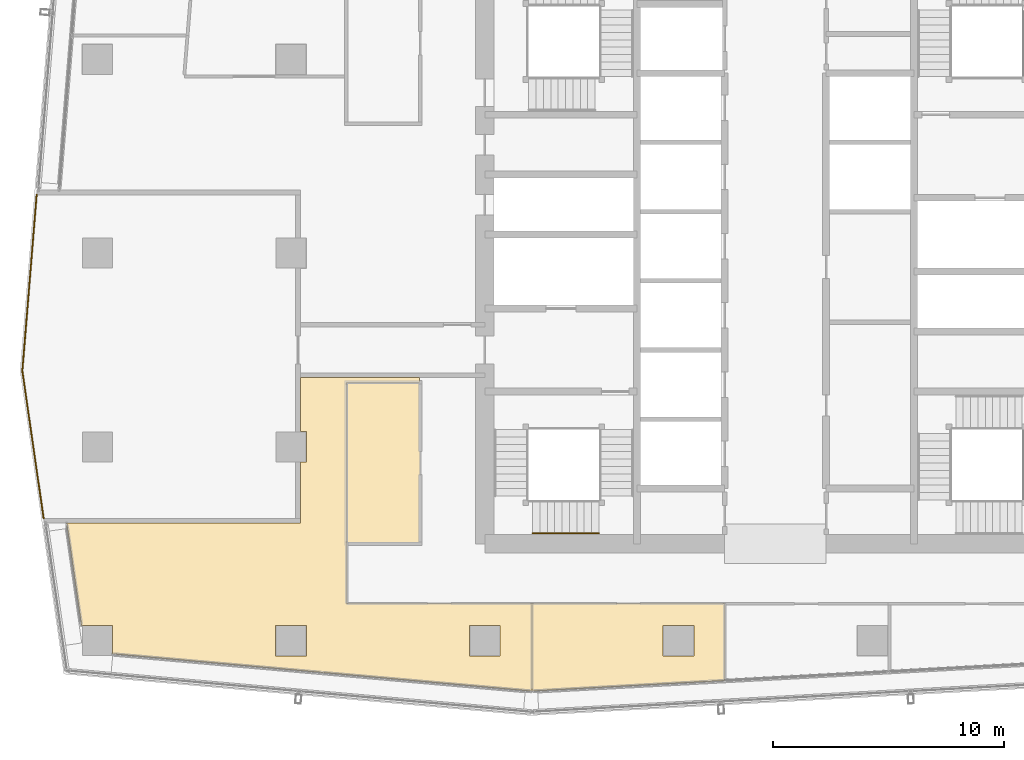
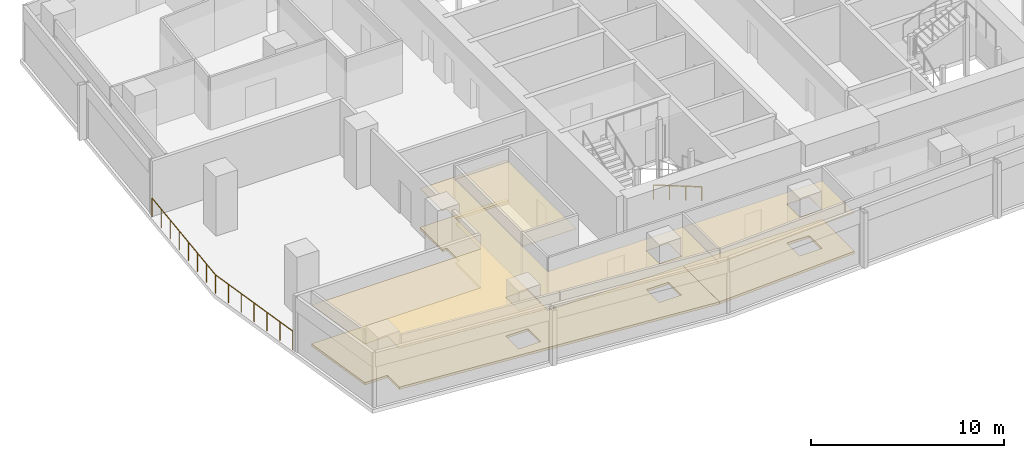
# One storey, part 24 of 28: 5 coverings, 2 railings.
"""IFC4 building model written with IfcOpenShell, lengths in metres."""

from ifc_helpers import new_model, si_unit, direction, frame, origin, origin_2d, place, context, subcontext, project, spatial, polyline, circle, outline, extrude, material, layer, layer_set, type_object, element, save


model = new_model("IFC4")

# Units and contexts
model_context = context("Model", 3, precision=1e-05, world=origin(), true_north=direction((0.0, 1.0)))
body_context = subcontext(model_context, "Body", "Model", "MODEL_VIEW")
ifc_project = project(units=[si_unit("LENGTHUNIT", "METRE"), si_unit("AREAUNIT", "SQUARE_METRE"), si_unit("VOLUMEUNIT", "CUBIC_METRE"), si_unit("PLANEANGLEUNIT", "RADIAN"), si_unit("MASSUNIT", "GRAM", prefix="KILO")], contexts=[model_context])

# Site, building, storey
site_placement = place(None, origin())
site = spatial("IfcSite", under=ifc_project, at=site_placement, CompositionType="ELEMENT")
building_placement = place(site_placement, origin())
building = spatial("IfcBuilding", under=site, at=building_placement, Name="Rekha Terrace Tower", CompositionType="ELEMENT")
storey_placement = place(building_placement, frame((0.0, 0.0, 268.85009765625)))
storey = spatial("IfcBuildingStorey", under=building, at=storey_placement, Name="L68", CompositionType="ELEMENT", Elevation=268.85009765625)

# Coverings
ifc_material_1 = material(Name="Mineral fibre tile in exposed grid", Category="finish")
ifc_layer_1 = layer(ifc_material_1, 0.02001953125)
ifc_layer_set_1 = layer_set([ifc_layer_1], Name="Mineral fibre tile in exposed grid")
covering_type_1 = type_object("IfcCoveringType", Name="CL1 600x1200 office grid ceiling", PredefinedType="CEILING", material=ifc_layer_set_1)
covering_1_placement = place(storey_placement, frame((0.0, 0.0, 2.579833984375)))
element("IfcCovering", 1, at=covering_1_placement, inside=storey, type_object=covering_type_1, Name="Ceiling L68-06", PredefinedType="CEILING", context=body_context, shape_type="SweptSolid", body=[
    extrude(outline(polyline([(7.073974609375, 21.89599609375), (7.715087890625, 17.465087890625), (9.06494140625, 17.465087890625), (9.06494140625, 16.22705078125), (18.423095703125, 15.39501953125), (27.25390625, 14.610107421875), (27.25390625, 18.39990234375), (19.199951171875, 18.39990234375), (19.199951171875, 28.0), (22.375, 28.0), (22.375, 28.198974609375), (17.200927734375, 28.198974609375), (17.200927734375, 25.864990234375), (17.465087890625, 25.864990234375), (17.465087890625, 24.534912109375), (17.200927734375, 24.534912109375), (17.200927734375, 21.89599609375), (7.073974609375, 21.89599609375)]), holes=[polyline([(25.864990234375, 17.465087890625), (25.864990234375, 16.135009765625), (24.534912109375, 16.135009765625), (24.534912109375, 17.465087890625), (25.864990234375, 17.465087890625)]), polyline([(17.465087890625, 17.465087890625), (17.465087890625, 16.135009765625), (16.135009765625, 16.135009765625), (16.135009765625, 17.465087890625), (17.465087890625, 17.465087890625)])]), origin(), (0.0, 0.0, 1.0), 0.02001953125),
])
covering_2_placement = place(storey_placement, frame((0.0, 0.0, 2.579833984375)))
element("IfcCovering", 2, at=covering_2_placement, inside=storey, type_object=covering_type_1, Name="Ceiling L68-07", PredefinedType="CEILING", context=body_context, shape_type="SweptSolid", body=[
    extrude(outline(polyline([(27.2548828125, 18.39990234375), (27.2548828125, 14.614990234375), (35.597900390625, 15.069091796875), (35.597900390625, 18.39990234375), (27.2548828125, 18.39990234375)]), holes=[polyline([(34.264892578125, 16.135009765625), (32.93505859375, 16.135009765625), (32.93505859375, 17.465087890625), (34.264892578125, 17.465087890625), (34.264892578125, 16.135009765625)])]), origin(), (0.0, 0.0, 1.0), 0.02001953125),
])
ifc_material_2 = material(Name="Fibre cement board", Category="finish")
ifc_layer_2 = layer(ifc_material_2, 0.014892578125)
ifc_layer_set_2 = layer_set([ifc_layer_2], Name="Fibre cement board")
covering_type_2 = type_object("IfcCoveringType", Name="CL2 moisture-resistant board ceiling", PredefinedType="CEILING", material=ifc_layer_set_2)
covering_3_placement = place(storey_placement, frame((0.0, 0.0, 2.5849609375)))
element("IfcCovering", 3, at=covering_3_placement, inside=storey, type_object=covering_type_2, Name="Ceiling L68-WCM", PredefinedType="CEILING", context=body_context, shape_type="SweptSolid", body=[
    extrude(outline(polyline([(22.39990234375, 28.0), (19.199951171875, 28.0), (19.199951171875, 21.0), (22.39990234375, 21.0), (22.39990234375, 28.0)])), origin(), (0.0, 0.0, 1.0), 0.014892578125),
])

# Railings
ifc_material_3 = material(Name="Steel guard with vertical balusters", Category="steel")
railing_type_1 = type_object("IfcRailingType", Name="GR2 refuge area guard 1200", PredefinedType="GUARDRAIL", material=ifc_material_3)
railing_1_placement = place(storey_placement, frame((6.074951171875, 22.096923828125, 0.0)))
element("IfcRailing", 4, at=railing_1_placement, inside=storey, type_object=railing_type_1, Name="Refuge area guard L68", PredefinedType="GUARDRAIL", context=body_context, shape_type="SweptSolid", body=[
    extrude(circle(Radius=0.02392578125, at=origin_2d()), frame((0.0, 0.0, 1.17578125), z_axis=(-0.142992012511, 0.989723842472, 0.0), x_axis=(-0.989723842472, -0.142992012511, 0.0)), (0.0, 0.0, 1.0), 6.46240234375),
    extrude(circle(Radius=0.02392578125, at=origin_2d()), frame((-0.924072265625, 6.39599609375, 1.17578125), z_axis=(0.081059695274, 0.996709248378, 0.0), x_axis=(-0.996709248378, 0.081059695274, 0.0)), (0.0, 0.0, 1.0), 7.662109375),
    extrude(circle(Radius=0.02099609375, at=origin_2d()), origin(), (0.0, 0.0, 1.0), 1.15185546875),
    extrude(circle(Radius=0.02099609375, at=origin_2d()), frame((-0.154052734375, 1.06591796875, 0.0)), (0.0, 0.0, 1.0), 1.15185546875),
    extrude(circle(Radius=0.02099609375, at=origin_2d()), frame((-0.30810546875, 2.132080078125, 0.0)), (0.0, 0.0, 1.0), 1.15185546875),
    extrude(circle(Radius=0.02099609375, at=origin_2d()), frame((-0.4619140625, 3.197998046875, 0.0)), (0.0, 0.0, 1.0), 1.15185546875),
    extrude(circle(Radius=0.02099609375, at=origin_2d()), frame((-0.615966796875, 4.263916015625, 0.0)), (0.0, 0.0, 1.0), 1.15185546875),
    extrude(circle(Radius=0.02099609375, at=origin_2d()), frame((-0.77001953125, 5.330078125, 0.0)), (0.0, 0.0, 1.0), 1.15185546875),
    extrude(circle(Radius=0.02099609375, at=origin_2d()), frame((-0.924072265625, 6.39599609375, 0.0)), (0.0, 0.0, 1.0), 1.15185546875),
    extrude(circle(Radius=0.02099609375, at=origin_2d()), frame((-0.83544921875, 7.487060546875, 0.0)), (0.0, 0.0, 1.0), 1.15185546875),
    extrude(circle(Radius=0.02099609375, at=origin_2d()), frame((-0.74658203125, 8.577880859375, 0.0)), (0.0, 0.0, 1.0), 1.15185546875),
    extrude(circle(Radius=0.02099609375, at=origin_2d()), frame((-0.657958984375, 9.6689453125, 0.0)), (0.0, 0.0, 1.0), 1.15185546875),
    extrude(circle(Radius=0.02099609375, at=origin_2d()), frame((-0.569091796875, 10.760009765625, 0.0)), (0.0, 0.0, 1.0), 1.15185546875),
    extrude(circle(Radius=0.02099609375, at=origin_2d()), frame((-0.48046875, 11.85107421875, 0.0)), (0.0, 0.0, 1.0), 1.15185546875),
    extrude(circle(Radius=0.02099609375, at=origin_2d()), frame((-0.3916015625, 12.94189453125, 0.0)), (0.0, 0.0, 1.0), 1.15185546875),
    extrude(circle(Radius=0.02099609375, at=origin_2d()), frame((-0.302978515625, 14.032958984375, 0.0)), (0.0, 0.0, 1.0), 1.15185546875),
])
ifc_material_4 = material(Name="Stainless steel tube", Category="steel")
railing_type_2 = type_object("IfcRailingType", Name="HR1 900 stair handrail", PredefinedType="HANDRAIL", material=ifc_material_4)
railing_2_placement = place(storey_placement, frame((30.14990234375, 21.4599609375, 1.375)))
element("IfcRailing", 5, at=railing_2_placement, inside=storey, type_object=railing_type_2, Name="Handrail ST1 L68 flight 2", PredefinedType="HANDRAIL", context=body_context, shape_type="SweptSolid", body=[
    extrude(circle(Radius=0.02392578125, at=origin_2d()), frame((0.0, 0.0, 0.8759765625), z_axis=(-0.931452331594, 0.0, 0.363863372667), x_axis=(0.0, -1.0, 0.0)), (0.0, 0.0, 1.0), 3.091796875),
    extrude(circle(Radius=0.02099609375, at=origin_2d()), origin(), (0.0, 0.0, 1.0), 0.851806640625),
    extrude(circle(Radius=0.02099609375, at=origin_2d()), frame((-0.9599609375, 0.0, 0.375)), (0.0, 0.0, 1.0), 0.851806640625),
    extrude(circle(Radius=0.02099609375, at=origin_2d()), frame((-1.919921875, 0.0, 0.75)), (0.0, 0.0, 1.0), 0.851806640625),
    extrude(circle(Radius=0.02099609375, at=origin_2d()), frame((-2.8798828125, 0.0, 1.125)), (0.0, 0.0, 1.0), 0.851806640625),
])

# Coverings
ifc_material_5 = material(Name="Calcium sulphate panels on steel pedestals", Category="steel")
ifc_layer_3 = layer(ifc_material_5, 0.14990234375)
ifc_layer_set_3 = layer_set([ifc_layer_3], Name="Calcium sulphate panels on steel pedestals")
covering_type_3 = type_object("IfcCoveringType", Name="RF1 150 raised access floor", PredefinedType="FLOORING", material=ifc_layer_set_3)
covering_4_placement = place(storey_placement, origin())
element("IfcCovering", 6, at=covering_4_placement, inside=storey, type_object=covering_type_3, Name="Raised floor L68-06", PredefinedType="FLOORING", context=body_context, shape_type="SweptSolid", body=[
    extrude(outline(polyline([(7.073974609375, 21.89599609375), (7.715087890625, 17.465087890625), (9.06494140625, 17.465087890625), (9.06494140625, 16.22705078125), (18.423095703125, 15.39501953125), (27.25390625, 14.610107421875), (27.25390625, 18.39990234375), (19.199951171875, 18.39990234375), (19.199951171875, 28.0), (22.375, 28.0), (22.375, 28.198974609375), (17.200927734375, 28.198974609375), (17.200927734375, 25.864990234375), (17.465087890625, 25.864990234375), (17.465087890625, 24.534912109375), (17.200927734375, 24.534912109375), (17.200927734375, 21.89599609375), (7.073974609375, 21.89599609375)]), holes=[polyline([(25.864990234375, 17.465087890625), (25.864990234375, 16.135009765625), (24.534912109375, 16.135009765625), (24.534912109375, 17.465087890625), (25.864990234375, 17.465087890625)]), polyline([(17.465087890625, 17.465087890625), (17.465087890625, 16.135009765625), (16.135009765625, 16.135009765625), (16.135009765625, 17.465087890625), (17.465087890625, 17.465087890625)])]), origin(), (0.0, 0.0, 1.0), 0.14990234375),
])
covering_5_placement = place(storey_placement, origin())
element("IfcCovering", 7, at=covering_5_placement, inside=storey, type_object=covering_type_3, Name="Raised floor L68-07", PredefinedType="FLOORING", context=body_context, shape_type="SweptSolid", body=[
    extrude(outline(polyline([(27.2548828125, 18.39990234375), (27.2548828125, 14.614990234375), (35.597900390625, 15.069091796875), (35.597900390625, 18.39990234375), (27.2548828125, 18.39990234375)]), holes=[polyline([(34.264892578125, 16.135009765625), (32.93505859375, 16.135009765625), (32.93505859375, 17.465087890625), (34.264892578125, 17.465087890625), (34.264892578125, 16.135009765625)])]), origin(), (0.0, 0.0, 1.0), 0.14990234375),
])

save(model, "model.ifc")
